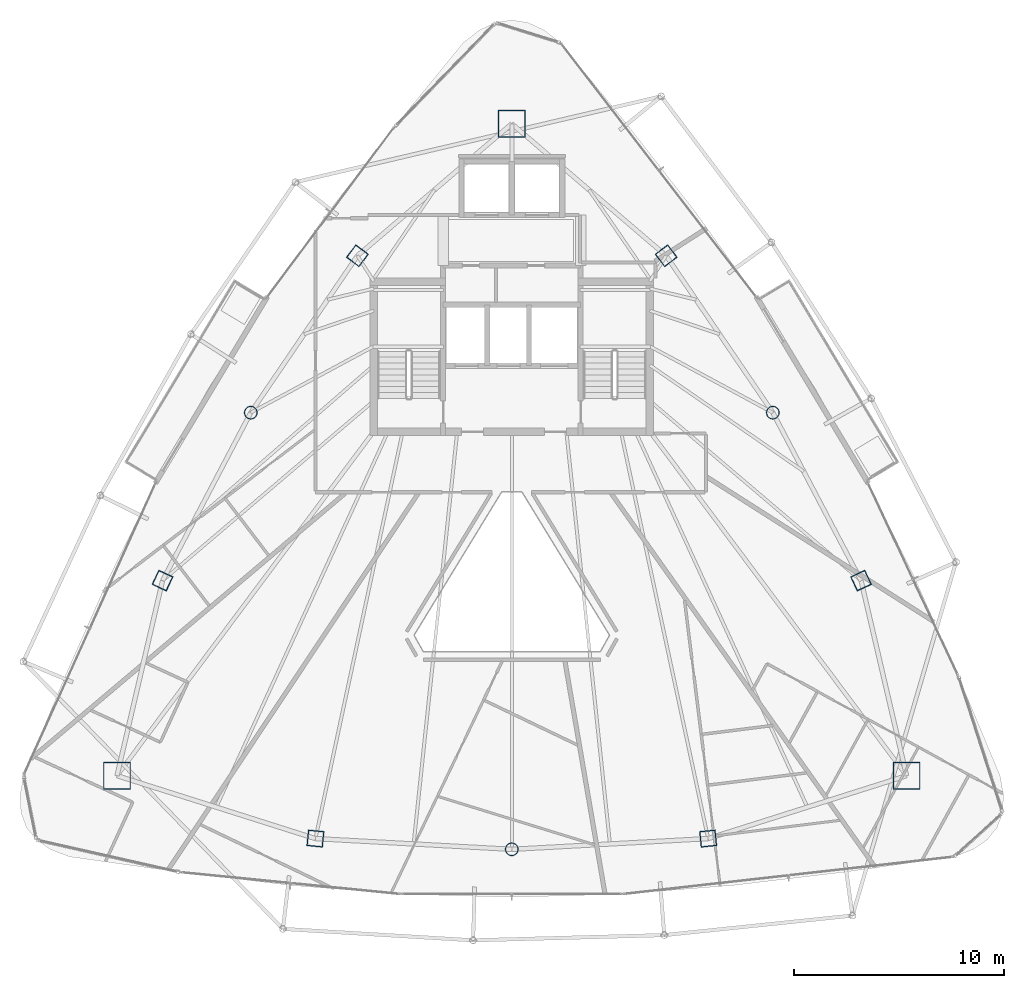
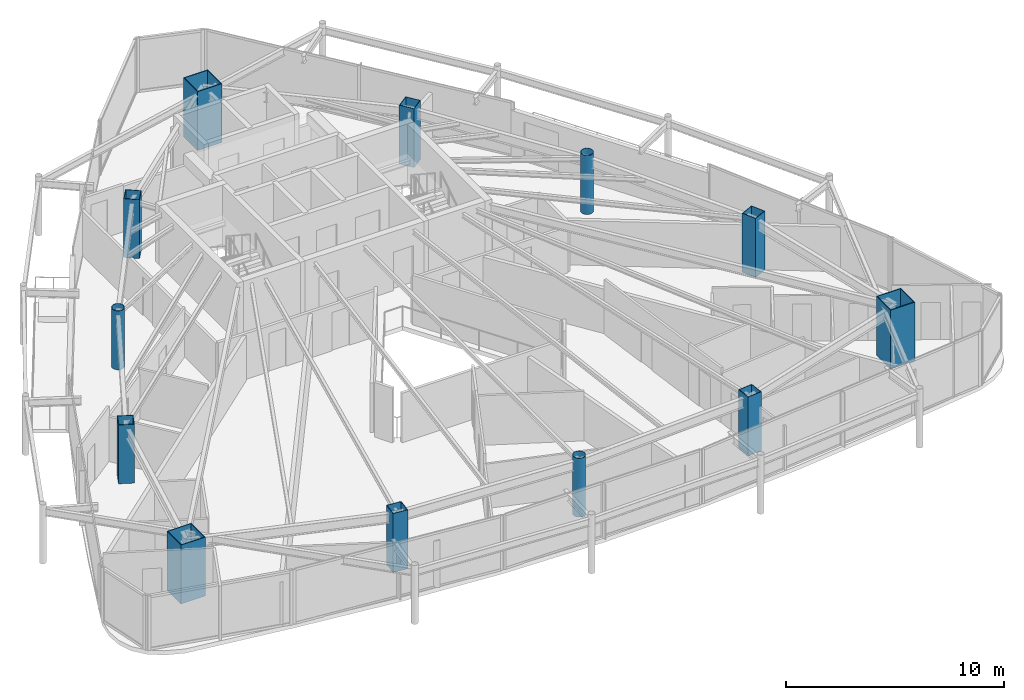
# One storey, part 1 of 33: 12 columns.
"""IFC4 building model written with IfcOpenShell, lengths in metres."""

from ifc_helpers import new_model, si_unit, direction, frame, origin, origin_2d, place, context, subcontext, project, spatial, hollow_rectangle, hollow_circle, extrude, material, material_profile, profile_set, type_object, element, save


model = new_model("IFC4")

# Units and contexts
model_context = context("Model", 3, precision=1e-05, world=origin(), true_north=direction((0.0, 1.0)))
body_context = subcontext(model_context, "Body", "Model", "MODEL_VIEW")
ifc_project = project(units=[si_unit("LENGTHUNIT", "METRE"), si_unit("AREAUNIT", "SQUARE_METRE"), si_unit("VOLUMEUNIT", "CUBIC_METRE"), si_unit("PLANEANGLEUNIT", "RADIAN"), si_unit("MASSUNIT", "GRAM", prefix="KILO")], contexts=[model_context])

# Site, building, storey
site_placement = place(None, origin())
site = spatial("IfcSite", under=ifc_project, at=site_placement, CompositionType="ELEMENT")
building_placement = place(site_placement, origin())
building = spatial("IfcBuilding", under=site, at=building_placement, Name="Orvanel Arch Residences", CompositionType="ELEMENT")
storey_placement = place(building_placement, frame((0.0, 0.0, 206.300048828125)))
storey = spatial("IfcBuildingStorey", under=building, at=storey_placement, Name="L58", CompositionType="ELEMENT", Elevation=206.300048828125)

# Columns
ifc_material_1 = material(Name="Structural steel AS/NZS 1163 C350L0 (Grade 350)", Category="steel")
ifc_material_profile_1 = material_profile(ifc_material_1, hollow_circle(Radius=0.304931640625, WallThickness=0.01611328125, at=origin_2d()), Name="CHS610x16")
ifc_profile_set_1 = profile_set([ifc_material_profile_1], Name="Structural steel AS/NZS 1163 C350L0 (Grade 350)")
column_type_1 = type_object("IfcColumnType", Name="CC-610", PredefinedType="COLUMN", material=ifc_profile_set_1)
for number, where, z_axis, x_axis, name in (
    (1, (20.569091796875, 27.64111328125, 0.0), (0.0, 0.0, 1.0), (1.0, 0.0, 0.0), "L58 High-Rise Tube Column 02"),
    (2, (33.0, 6.843994140625, 0.0), (0.0, 0.0, 1.0), (1.0, 0.0, 0.0), "L58 High-Rise Tube Column 05"),
    (3, (45.430908203125, 27.64111328125, 0.0), (0.0, 0.0, 1.0), (1.0, 0.0, 0.0), "L58 High-Rise Tube Column 08"),
):
    element("IfcColumn", number, at=place(storey_placement, frame(where, z_axis=z_axis, x_axis=x_axis)), inside=storey, type_object=column_type_1, Name=name, PredefinedType="COLUMN", context=body_context, shape_type="SweptSolid", body=[
        extrude(hollow_circle(Radius=0.304931640625, WallThickness=0.01611328125, at=origin_2d()), origin(), (0.0, 0.0, 1.0), 3.300048828125),
    ])
ifc_material_2 = material(Name="Structural steel AS/NZS 3678 Grade 450", Category="steel")
ifc_material_profile_2 = material_profile(ifc_material_2, hollow_rectangle(XDim=1.300048828125, YDim=1.300048828125, WallThickness=0.0400390625, at=origin_2d()), Name="BOX1300x1300x40")
ifc_profile_set_2 = profile_set([ifc_material_profile_2], Name="Structural steel AS/NZS 3678 Grade 450")
column_type_2 = type_object("IfcColumnType", Name="MC-1300", PredefinedType="COLUMN", material=ifc_profile_set_2)
for number, where, z_axis, x_axis, name in (
    (4, (33.0, 41.39794921875, 0.0), (0.0, 0.0, 1.0), (1.0, 0.0, 0.0), "L58 Corner Mega-Column 1"),
    (5, (14.198974609375, 10.35107421875, 0.0), (0.0, 0.0, 1.0), (1.0, 0.0, 0.0), "L58 Corner Mega-Column 2"),
    (6, (51.801025390625, 10.35107421875, 0.0), (0.0, 0.0, 1.0), (1.0, 0.0, 0.0), "L58 Corner Mega-Column 3"),
):
    element("IfcColumn", number, at=place(storey_placement, frame(where, z_axis=z_axis, x_axis=x_axis)), inside=storey, type_object=column_type_2, Name=name, PredefinedType="COLUMN", context=body_context, shape_type="SweptSolid", body=[
        extrude(hollow_rectangle(XDim=1.300048828125, YDim=1.300048828125, WallThickness=0.0400390625, at=origin_2d()), origin(), (0.0, 0.0, 1.0), 3.300048828125),
    ])
ifc_material_3 = material(Name="Structural steel AS/NZS 3678 Grade 350", Category="steel")
ifc_material_profile_3 = material_profile(ifc_material_3, hollow_rectangle(XDim=0.75, YDim=0.75, WallThickness=0.02490234375, at=origin_2d()), Name="BOX750x750x25")
ifc_profile_set_3 = profile_set([ifc_material_profile_3], Name="Structural steel AS/NZS 3678 Grade 350")
column_type_3 = type_object("IfcColumnType", Name="TC-750", PredefinedType="COLUMN", material=ifc_profile_set_3)
for number, where, z_axis, x_axis, name in (
    (7, (25.64794921875, 35.113037109375, 0.0), (0.0, 0.0, 1.0), (0.600420225326, 0.799684658487, 0.0), "L58 High-Rise Tube Column 01"),
    (8, (16.366943359375, 19.64208984375, 0.0), (0.0, 0.0, 1.0), (0.422618261741, 0.906307787037, 0.0), "L58 High-Rise Tube Column 03"),
    (9, (23.64892578125, 7.35498046875, 0.0), (0.0, 0.0, 1.0), (-0.994880708829, 0.101056297183, 0.0), "L58 High-Rise Tube Column 04"),
    (10, (42.35107421875, 7.35498046875, 0.0), (0.0, 0.0, 1.0), (0.994880708829, 0.101056297183, 0.0), "L58 High-Rise Tube Column 06"),
    (11, (49.633056640625, 19.64208984375, 0.0), (0.0, 0.0, 1.0), (-0.422618261741, 0.906307787037, 0.0), "L58 High-Rise Tube Column 07"),
    (12, (40.35205078125, 35.113037109375, 0.0), (0.0, 0.0, 1.0), (-0.600420225326, 0.799684658487, 0.0), "L58 High-Rise Tube Column 09"),
):
    element("IfcColumn", number, at=place(storey_placement, frame(where, z_axis=z_axis, x_axis=x_axis)), inside=storey, type_object=column_type_3, Name=name, PredefinedType="COLUMN", context=body_context, shape_type="SweptSolid", body=[
        extrude(hollow_rectangle(XDim=0.75, YDim=0.75, WallThickness=0.02490234375, at=origin_2d()), origin(), (0.0, 0.0, 1.0), 3.300048828125),
    ])

save(model, "model.ifc")
